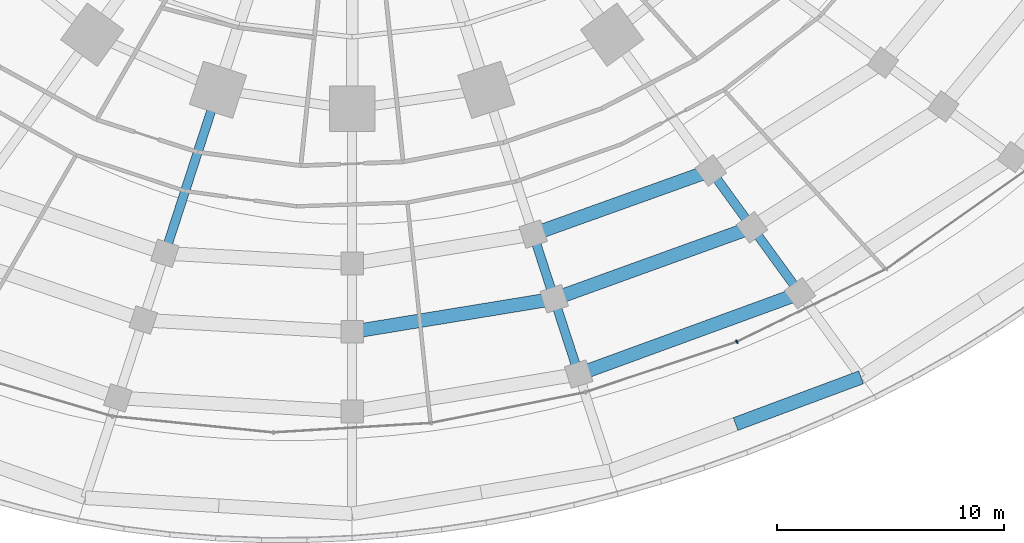
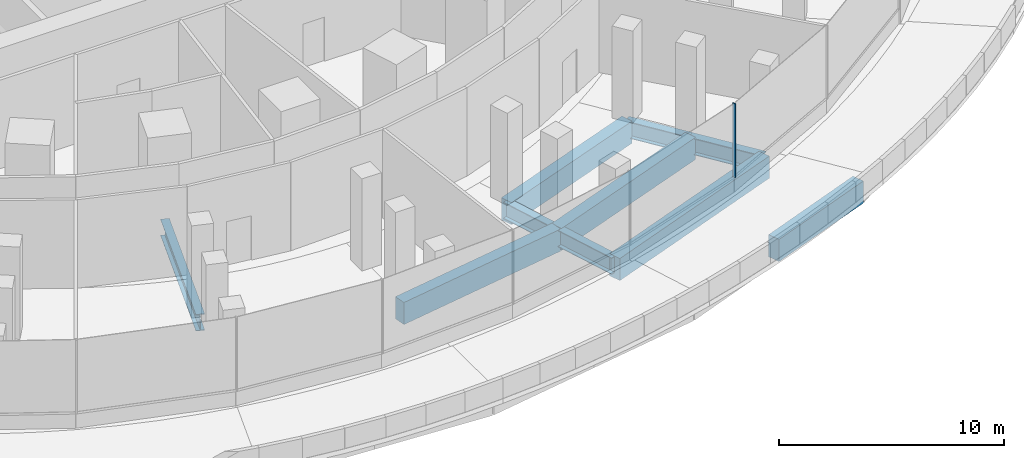
# One storey, part 6 of 31: 10 beams, 1 member, 1 element without a shape of its own.
"""IFC4 building model written with IfcOpenShell, lengths in metres."""

from ifc_helpers import new_model, si_unit, direction, frame, origin, origin_2d, place, context, subcontext, project, spatial, rectangle, i_section, extrude, material, material_profile, profile_set, type_object, element, aggregate, save


model = new_model("IFC4")

# Units and contexts
model_context = context("Model", 3, precision=1e-05, world=origin(), true_north=direction((0.0, 1.0)))
body_context = subcontext(model_context, "Body", "Model", "MODEL_VIEW")
ifc_project = project(units=[si_unit("LENGTHUNIT", "METRE"), si_unit("AREAUNIT", "SQUARE_METRE"), si_unit("VOLUMEUNIT", "CUBIC_METRE"), si_unit("PLANEANGLEUNIT", "RADIAN"), si_unit("MASSUNIT", "GRAM", prefix="KILO")], contexts=[model_context])

# Site, building, storey
site_placement = place(None, origin())
site = spatial("IfcSite", under=ifc_project, at=site_placement, CompositionType="ELEMENT")
building_placement = place(site_placement, origin())
building = spatial("IfcBuilding", under=site, at=building_placement, Name="Marramba Exchange Tower", CompositionType="ELEMENT")
storey_placement = place(building_placement, frame((0.0, 0.0, 5.60009765625)))
storey = spatial("IfcBuildingStorey", under=building, at=storey_placement, Name="L01", CompositionType="ELEMENT", Elevation=5.60009765625)

# Beams
ifc_material_1 = material(Name="Concrete N50", Category="concrete")
ifc_material_profile_1 = material_profile(ifc_material_1, rectangle(XDim=0.60009765625, YDim=1.199951171875, at=origin_2d()), Name="RC 600x1200")
ifc_profile_set_1 = profile_set([ifc_material_profile_1], Name="Concrete N50")
beam_type_1 = type_object("IfcBeamType", Name="Edge beam RC 600x1200 N50", PredefinedType="SPANDREL", material=ifc_profile_set_1)
beam_1_placement = place(storey_placement, frame((16.861572265625, -32.857177734375, -0.85009765625), z_axis=(0.937168261872, 0.348877699115, 0.0), x_axis=(-0.348877699115, 0.937168261872, 0.0)))
element("IfcBeam", 1, at=beam_1_placement, inside=storey, type_object=beam_type_1, Name="Edge beam L01 P0C17 half 2", PredefinedType="SPANDREL", context=body_context, shape_type="SweptSolid", body=[
    extrude(rectangle(XDim=0.60009765625, YDim=1.199951171875, at=origin_2d()), origin(), (0.0, 0.0, 1.0), 5.887939453125),
])
beam_2_placement = place(storey_placement, frame((9.962158203125, -30.66015625, -0.800048828125), z_axis=(0.939206472346, 0.343352883057, 0.0), x_axis=(-0.343352883057, 0.939206472346, 0.0)))
element("IfcBeam", 2, at=beam_2_placement, inside=storey, type_object=beam_type_1, Name="Edge beam L01 P1C17", PredefinedType="SPANDREL", context=body_context, shape_type="SweptSolid", body=[
    extrude(rectangle(XDim=0.60009765625, YDim=1.199951171875, at=origin_2d()), origin(), (0.0, 0.0, 1.0), 10.359375),
])
beam_3_placement = place(storey_placement, frame((0.0, -28.800048828125, -0.800048828125), z_axis=(0.986899242558, 0.161337797923, 0.0), x_axis=(-0.161337797923, 0.986899242558, 0.0)))
element("IfcBeam", 3, at=beam_3_placement, inside=storey, type_object=beam_type_1, Name="Edge beam L01 P2C16", PredefinedType="SPANDREL", context=body_context, shape_type="SweptSolid", body=[
    extrude(rectangle(XDim=0.60009765625, YDim=1.199951171875, at=origin_2d()), origin(), (0.0, 0.0, 1.0), 9.003662109375),
])
beam_4_placement = place(storey_placement, frame((8.8857421875, -27.347412109375, -0.800048828125), z_axis=(0.940481976413, 0.339843569958, 0.0), x_axis=(-0.339843569958, 0.940481976413, 0.0)))
element("IfcBeam", 4, at=beam_4_placement, inside=storey, type_object=beam_type_1, Name="Edge beam L01 P2C17", PredefinedType="SPANDREL", context=body_context, shape_type="SweptSolid", body=[
    extrude(rectangle(XDim=0.60009765625, YDim=1.199951171875, at=origin_2d()), origin(), (0.0, 0.0, 1.0), 9.25),
])
beam_5_placement = place(storey_placement, frame((7.9619140625, -24.50390625, -0.800048828125), z_axis=(0.941347695699, 0.337438165895, 0.0), x_axis=(-0.337438165895, 0.941347695699, 0.0)))
element("IfcBeam", 5, at=beam_5_placement, inside=storey, type_object=beam_type_1, Name="Edge beam L01 P3C17", PredefinedType="SPANDREL", context=body_context, shape_type="SweptSolid", body=[
    extrude(rectangle(XDim=0.60009765625, YDim=1.199951171875, at=origin_2d()), origin(), (0.0, 0.0, 1.0), 8.29443359375),
])

# Curtain wall, member
ifc_material_2 = material(Name="Aluminium framing, bronze anodised", Category="aluminium")
curtain_wall_type = type_object("IfcCurtainWallType", Name="Podium ribbon curtain wall", PredefinedType="USERDEFINED", material=ifc_material_2)
curtain_wall_placement = place(storey_placement, origin())
curtain_wall = element("IfcCurtainWall", 6, at=curtain_wall_placement, inside=storey, type_object=curtain_wall_type, Name="Curtain wall CW2 L01 F26-F27", ObjectType="RIBBON CURTAIN WALL", PredefinedType="USERDEFINED")
ifc_material_3 = material(Name="Aluminium mullion, bronze anodised", Category="aluminium")
ifc_material_profile_2 = material_profile(ifc_material_3, rectangle(XDim=0.159912109375, YDim=0.06005859375, at=origin_2d()), Name="CW2 mullion 60x160")
ifc_profile_set_2 = profile_set([ifc_material_profile_2], Name="Aluminium mullion, bronze anodised")
member_type = type_object("IfcMemberType", Name="Podium ribbon curtain wall mullion", PredefinedType="MULLION", material=ifc_profile_set_2)
member_placement = place(storey_placement, frame((16.916259765625, -29.239990234375, 0.7998046875), z_axis=(0.0, 0.0, 1.0), x_axis=(-0.437702394342, 0.899119910794, 0.0)))
member = element("IfcMember", 7, at=member_placement, type_object=member_type, Name="CW2 mullion 1", PredefinedType="MULLION", context=body_context, shape_type="SweptSolid", body=[
    extrude(rectangle(XDim=0.159912109375, YDim=0.06005859375, at=origin_2d()), origin(), (0.0, 0.0, 1.0), 4.0),
])
aggregate(curtain_wall, [member])

# Beams
ifc_material_4 = material(Name="Steel AS/NZS 3679.2 grade 300", Category="steel")
ifc_material_profile_3 = material_profile(ifc_material_4, i_section(OverallWidth=0.39990234375, OverallDepth=0.89990234375, WebThickness=0.01611328125, FlangeThickness=0.031982421875, at=origin_2d()), Name="900WB282")
ifc_profile_set_3 = profile_set([ifc_material_profile_3], Name="Steel AS/NZS 3679.2 grade 300")
beam_type_2 = type_object("IfcBeamType", Name="Radial girder 900WB282", PredefinedType="BEAM", material=ifc_profile_set_3)
beam_6_placement = place(storey_placement, frame((9.962158203125, -30.66015625, -0.650146484375), z_axis=(-0.309027432175, 0.951053124785, 0.0), x_axis=(-0.951053124785, -0.309027432175, 0.0)))
element("IfcBeam", 8, at=beam_6_placement, inside=storey, type_object=beam_type_2, Name="Radial girder L01 P1C17", PredefinedType="BEAM", context=body_context, shape_type="SweptSolid", body=[
    extrude(i_section(OverallWidth=0.39990234375, OverallDepth=0.89990234375, WebThickness=0.01611328125, FlangeThickness=0.031982421875, at=origin_2d()), origin(), (0.0, 0.0, 1.0), 3.483154296875),
])
beam_7_placement = place(storey_placement, frame((19.691650390625, -27.103271484375, -0.650146484375), z_axis=(-0.587766567315, 0.809030569476, 0.0), x_axis=(-0.809030569476, -0.587766567315, 0.0)))
element("IfcBeam", 9, at=beam_7_placement, inside=storey, type_object=beam_type_2, Name="Radial girder L01 P1C18", PredefinedType="BEAM", context=body_context, shape_type="SweptSolid", body=[
    extrude(i_section(OverallWidth=0.39990234375, OverallDepth=0.89990234375, WebThickness=0.01611328125, FlangeThickness=0.031982421875, at=origin_2d()), origin(), (0.0, 0.0, 1.0), 3.583740234375),
])
beam_8_placement = place(storey_placement, frame((8.8857421875, -27.347412109375, -0.650146484375), z_axis=(-0.308991903915, 0.951064668314, 0.0), x_axis=(-0.951064668314, -0.308991903915, 0.0)))
element("IfcBeam", 10, at=beam_8_placement, inside=storey, type_object=beam_type_2, Name="Radial girder L01 P2C17", PredefinedType="BEAM", context=body_context, shape_type="SweptSolid", body=[
    extrude(i_section(OverallWidth=0.39990234375, OverallDepth=0.89990234375, WebThickness=0.01611328125, FlangeThickness=0.031982421875, at=origin_2d()), origin(), (0.0, 0.0, 1.0), 2.98974609375),
])
beam_9_placement = place(storey_placement, frame((17.585205078125, -24.203857421875, -0.650146484375), z_axis=(-0.587776831065, 0.809023112688, 0.0), x_axis=(-0.809023112688, -0.587776831065, 0.0)))
element("IfcBeam", 11, at=beam_9_placement, inside=storey, type_object=beam_type_2, Name="Radial girder L01 P2C18", PredefinedType="BEAM", context=body_context, shape_type="SweptSolid", body=[
    extrude(i_section(OverallWidth=0.39990234375, OverallDepth=0.89990234375, WebThickness=0.01611328125, FlangeThickness=0.031982421875, at=origin_2d()), origin(), (0.0, 0.0, 1.0), 3.088623046875),
])
beam_10_placement = place(storey_placement, frame((-8.23583984375, -25.347412109375, -0.650146484375), z_axis=(0.309001370997, 0.951061592497, 0.0), x_axis=(-0.951061592497, 0.309001370997, 0.0)))
element("IfcBeam", 12, at=beam_10_placement, inside=storey, type_object=beam_type_2, Name="Radial girder L01 P3C15", PredefinedType="BEAM", context=body_context, shape_type="SweptSolid", body=[
    extrude(i_section(OverallWidth=0.39990234375, OverallDepth=0.89990234375, WebThickness=0.01611328125, FlangeThickness=0.031982421875, at=origin_2d()), origin(), (0.0, 0.0, 1.0), 7.560546875),
])

save(model, "model.ifc")
